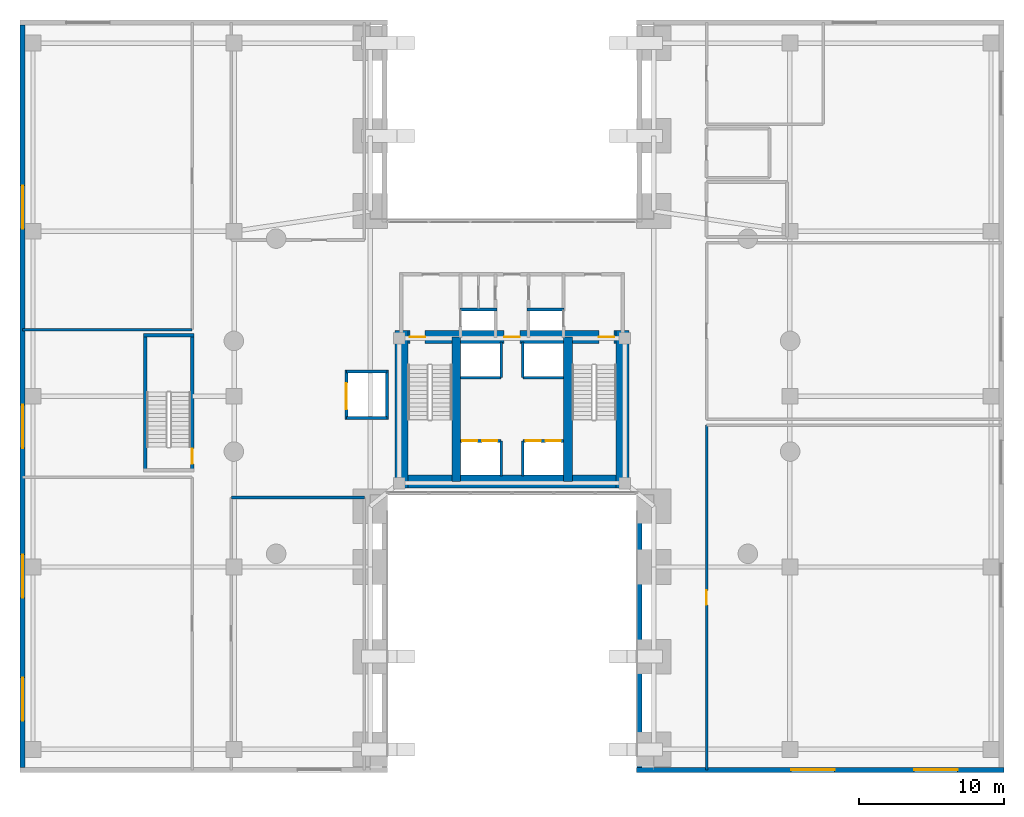
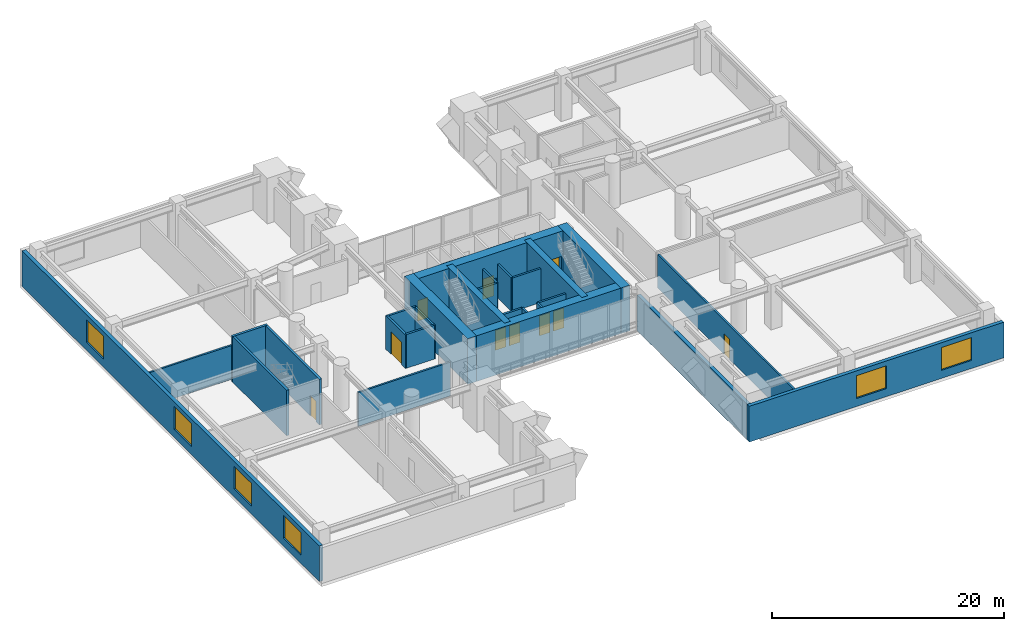
# One storey, part 10 of 14: 29 walls, 10 doors, 6 windows, 16 openings.
"""IFC4 building model written with IfcOpenShell, lengths in metres."""

from ifc_helpers import new_model, si_unit, direction, frame, frame_2d, origin, place, context, subcontext, project, spatial, rectangle, extrude, material, layer, layer_set, type_object, element, fill, save


model = new_model("IFC4")

# Units and contexts
model_context = context("Model", 3, precision=1e-05, world=origin(), true_north=direction((0.0, 1.0)))
body_context = subcontext(model_context, "Body", "Model", "MODEL_VIEW")
ifc_project = project(units=[si_unit("LENGTHUNIT", "METRE"), si_unit("AREAUNIT", "SQUARE_METRE"), si_unit("VOLUMEUNIT", "CUBIC_METRE"), si_unit("PLANEANGLEUNIT", "RADIAN"), si_unit("MASSUNIT", "GRAM", prefix="KILO"), si_unit("THERMODYNAMICTEMPERATUREUNIT", "KELVIN"), si_unit("POWERUNIT", "WATT")], contexts=[model_context])

# Site, building, storey
site_placement = place(None, origin())
site = spatial("IfcSite", under=ifc_project, at=site_placement, CompositionType="ELEMENT")
building_placement = place(site_placement, origin())
building = spatial("IfcBuilding", under=site, at=building_placement, Name="Ocrelia Relay Tower", CompositionType="ELEMENT")
storey_placement = place(building_placement, frame((0.0, 0.0, 5.39990234375)))
storey = spatial("IfcBuildingStorey", under=building, at=storey_placement, Name="L01", CompositionType="ELEMENT", Elevation=5.39990234375)

# Wall
ifc_material_1 = material(Name="Concrete C70/85", Category="concrete")
ifc_layer_1 = layer(ifc_material_1, 0.89990234375, Name="Concrete C70/85")
ifc_layer_set_1 = layer_set([ifc_layer_1], Name="Concrete C70/85")
wall_type_1 = type_object("IfcWallType", Name="CW-CORE-900", PredefinedType="SHEAR", material=ifc_layer_set_1)
wall_1_placement = place(storey_placement, frame((25.922119140625, 20.112060546875, 0.0), z_axis=(0.0, 0.0, 1.0), x_axis=(1.0, 0.0, 0.0)))
element("IfcWall", 1, at=wall_1_placement, inside=storey, type_object=wall_type_1, Name="L01 Core Shear Wall S", PredefinedType="SHEAR", context=body_context, shape_type="SweptSolid", body=[
    extrude(rectangle(XDim=16.165771484375, YDim=0.89990234375, at=frame_2d((8.0830078125, 0.0))), origin(), (0.0, 0.0, 1.0), 4.800048828125),
])

# Wall, openings, doors
wall_2_placement = place(storey_placement, frame((25.922119140625, 30.087890625, 0.0), z_axis=(0.0, 0.0, 1.0), x_axis=(1.0, 0.0, 0.0)))
wall_2 = element("IfcWall", 2, at=wall_2_placement, inside=storey, type_object=wall_type_1, Name="L01 Core Shear Wall N", PredefinedType="SHEAR", context=body_context, shape_type="SweptSolid", body=[
    extrude(rectangle(XDim=16.165771484375, YDim=0.89990234375, at=frame_2d((8.0830078125, 0.0))), origin(), (0.0, 0.0, 1.0), 4.800048828125),
])
opening_1_placement = place(wall_2_placement, frame((1.028076171875, 0.0, 0.0)))
opening_1 = element("IfcOpeningElement", 3, at=opening_1_placement, cuts=wall_2, Name="Opening D-FD90", PredefinedType="OPENING", context=body_context, shape_type="SweptSolid", body=[
    extrude(rectangle(XDim=1.050048828125, YDim=2.14990234375, at=frame_2d((0.52490234375, 1.074951171875))), frame((0.0, 0.4599609375, 0.0), z_axis=(0.0, -1.0, 0.0), x_axis=(1.0, 0.0, 0.0)), (0.0, 0.0, 1.0), 0.919921875),
])
opening_2_placement = place(wall_2_placement, frame((14.077880859375, 0.0, 0.0)))
opening_2 = element("IfcOpeningElement", 4, at=opening_2_placement, cuts=wall_2, Name="Opening D-FD90", PredefinedType="OPENING", context=body_context, shape_type="SweptSolid", body=[
    extrude(rectangle(XDim=1.050048828125, YDim=2.14990234375, at=frame_2d((0.52490234375, 1.074951171875))), frame((0.0, 0.4599609375, 0.0), z_axis=(0.0, -1.0, 0.0), x_axis=(1.0, 0.0, 0.0)), (0.0, 0.0, 1.0), 0.919921875),
])
opening_3_placement = place(wall_2_placement, frame((7.528076171875, 0.0, 0.0)))
opening_3 = element("IfcOpeningElement", 5, at=opening_3_placement, cuts=wall_2, Name="Opening D-FD60", PredefinedType="OPENING", context=body_context, shape_type="SweptSolid", body=[
    extrude(rectangle(XDim=1.10009765625, YDim=2.14990234375, at=frame_2d((0.550048828125, 1.074951171875))), frame((0.0, 0.4599609375, 0.0), z_axis=(0.0, -1.0, 0.0), x_axis=(1.0, 0.0, 0.0)), (0.0, 0.0, 1.0), 0.919921875),
])
ifc_material_2 = material(Name="Timber-core 60-min acoustic fire door", Category="wood")
door_type_1 = type_object("IfcDoorType", Name="DR-LOBBY-FD60-1100", OperationType="NOTDEFINED", PredefinedType="DOOR", material=ifc_material_2)
door_1_placement = place(opening_3_placement, origin())
door_1 = element("IfcDoor", 6, at=door_1_placement, inside=storey, type_object=door_type_1, Name="L01 Core Lift Lobby North Fire Door", OperationType="SINGLE_SWING_LEFT", OverallHeight=2.14990234375, OverallWidth=1.10009765625, PredefinedType="DOOR", context=body_context, shape_type="SweptSolid", body=[
    extrude(rectangle(XDim=1.10009765625, YDim=2.14990234375, at=frame_2d((0.550048828125, 1.074951171875))), frame((0.0, 0.02490234375, 0.0), z_axis=(0.0, -1.0, 0.0), x_axis=(1.0, 0.0, 0.0)), (0.0, 0.0, 1.0), 0.050048828125),
])
fill(opening_3, door_1)
ifc_material_3 = material(Name="Steel S355 90-min fire door", Category="steel")
door_type_2 = type_object("IfcDoorType", Name="DR-STAIR-FD90-1050", OperationType="NOTDEFINED", PredefinedType="DOOR", material=ifc_material_3)
door_2_placement = place(opening_1_placement, origin())
door_2 = element("IfcDoor", 7, at=door_2_placement, inside=storey, type_object=door_type_2, Name="L01 Stair ST1 Fire Door", OperationType="SINGLE_SWING_LEFT", OverallHeight=2.14990234375, OverallWidth=1.050048828125, PredefinedType="DOOR", context=body_context, shape_type="SweptSolid", body=[
    extrude(rectangle(XDim=1.050048828125, YDim=2.14990234375, at=frame_2d((0.52490234375, 1.074951171875))), frame((0.0, 0.02490234375, 0.0), z_axis=(0.0, -1.0, 0.0), x_axis=(1.0, 0.0, 0.0)), (0.0, 0.0, 1.0), 0.050048828125),
])
fill(opening_1, door_2)
door_3_placement = place(opening_2_placement, origin())
door_3 = element("IfcDoor", 8, at=door_3_placement, inside=storey, type_object=door_type_2, Name="L01 Stair ST2 Fire Door", OperationType="SINGLE_SWING_RIGHT", OverallHeight=2.14990234375, OverallWidth=1.050048828125, PredefinedType="DOOR", context=body_context, shape_type="SweptSolid", body=[
    extrude(rectangle(XDim=1.050048828125, YDim=2.14990234375, at=frame_2d((0.52490234375, 1.074951171875))), frame((0.0, 0.02490234375, 0.0), z_axis=(0.0, -1.0, 0.0), x_axis=(1.0, 0.0, 0.0)), (0.0, 0.0, 1.0), 0.050048828125),
])
fill(opening_2, door_3)

# Walls
for number, where, z_axis, x_axis, name in (
    (9, (26.3720703125, 19.662109375, 0.0), (0.0, 0.0, 1.0), (0.0, 1.0, 0.0), "L01 Core Shear Wall W"),
    (10, (41.637939453125, 19.662109375, 0.0), (0.0, 0.0, 1.0), (0.0, 1.0, 0.0), "L01 Core Shear Wall E"),
):
    element("IfcWall", number, at=place(storey_placement, frame(where, z_axis=z_axis, x_axis=x_axis)), inside=storey, type_object=wall_type_1, Name=name, PredefinedType="SHEAR", context=body_context, shape_type="SweptSolid", body=[
        extrude(rectangle(XDim=10.8759765625, YDim=0.89990234375, at=frame_2d((5.43798828125, 0.0))), origin(), (0.0, 0.0, 1.0), 4.800048828125),
    ])
for number, where, z_axis, x_axis, name in (
    (11, (30.137939453125, 20.112060546875, 0.0), (0.0, 0.0, 1.0), (0.0, 1.0, 0.0), "L01 Core Shear Wall SPW"),
    (12, (37.8720703125, 20.112060546875, 0.0), (0.0, 0.0, 1.0), (0.0, 1.0, 0.0), "L01 Core Shear Wall SPE"),
):
    element("IfcWall", number, at=place(storey_placement, frame(where, z_axis=z_axis, x_axis=x_axis)), inside=storey, type_object=wall_type_1, Name=name, PredefinedType="SHEAR", context=body_context, shape_type="SweptSolid", body=[
        extrude(rectangle(XDim=9.975830078125, YDim=0.60009765625, at=frame_2d((4.98779296875, 0.0))), origin(), (0.0, 0.0, 1.0), 4.800048828125),
    ])
ifc_material_4 = material(Name="Concrete C50/60", Category="concrete")
ifc_layer_2 = layer(ifc_material_4, 0.239990234375, Name="Concrete C50/60")
ifc_layer_set_2 = layer_set([ifc_layer_2], Name="Concrete C50/60")
wall_type_2 = type_object("IfcWallType", Name="CW-STAIR-240", PredefinedType="SHEAR", material=ifc_layer_set_2)
wall_3_placement = place(storey_placement, frame((8.531982421875, 30.2080078125, 0.0), z_axis=(0.0, 0.0, 1.0), x_axis=(1.0, 0.0, 0.0)))
element("IfcWall", 13, at=wall_3_placement, inside=storey, type_object=wall_type_2, Name="L01 Stair ST3 Structural Shaft N Wall", PredefinedType="SHEAR", context=body_context, shape_type="SweptSolid", body=[
    extrude(rectangle(XDim=3.49609375, YDim=0.239990234375, at=frame_2d((1.748046875, 0.0))), origin(), (0.0, 0.0, 1.0), 4.800048828125),
])
wall_4_placement = place(storey_placement, frame((8.652099609375, 20.77197265625, 0.0), z_axis=(0.0, 0.0, 1.0), x_axis=(0.0, 1.0, 0.0)))
element("IfcWall", 14, at=wall_4_placement, inside=storey, type_object=wall_type_2, Name="L01 Stair ST3 Structural Shaft W Wall", PredefinedType="SHEAR", context=body_context, shape_type="SweptSolid", body=[
    extrude(rectangle(XDim=9.555908203125, YDim=0.239990234375, at=frame_2d((4.77783203125, 0.0))), origin(), (0.0, 0.0, 1.0), 4.800048828125),
])

# Wall, opening, door
wall_5_placement = place(storey_placement, frame((11.907958984375, 20.77197265625, 0.0), z_axis=(0.0, 0.0, 1.0), x_axis=(0.0, 1.0, 0.0)))
wall_5 = element("IfcWall", 15, at=wall_5_placement, inside=storey, type_object=wall_type_2, Name="L01 Stair ST3 Structural Shaft E Wall", PredefinedType="SHEAR", context=body_context, shape_type="SweptSolid", body=[
    extrude(rectangle(XDim=9.555908203125, YDim=0.239990234375, at=frame_2d((4.77783203125, 0.0))), origin(), (0.0, 0.0, 1.0), 4.800048828125),
])
opening_4_placement = place(wall_5_placement, frame((0.550048828125, 0.0, 0.0)))
opening_4 = element("IfcOpeningElement", 16, at=opening_4_placement, cuts=wall_5, Name="Opening D-FD90", PredefinedType="OPENING", context=body_context, shape_type="SweptSolid", body=[
    extrude(rectangle(XDim=1.050048828125, YDim=2.14990234375, at=frame_2d((0.52490234375, 1.074951171875))), frame((0.0, 0.1298828125, 0.0), z_axis=(0.0, -1.0, 0.0), x_axis=(1.0, 0.0, 0.0)), (0.0, 0.0, 1.0), 0.260009765625),
])
door_4_placement = place(opening_4_placement, origin())
door_4 = element("IfcDoor", 17, at=door_4_placement, inside=storey, type_object=door_type_2, Name="L01 Stair ST3 Fire Door", OperationType="SINGLE_SWING_RIGHT", OverallHeight=2.14990234375, OverallWidth=1.050048828125, PredefinedType="DOOR", context=body_context, shape_type="SweptSolid", body=[
    extrude(rectangle(XDim=1.050048828125, YDim=2.14990234375, at=frame_2d((0.52490234375, 1.074951171875))), frame((0.0, 0.02490234375, 0.0), z_axis=(0.0, -1.0, 0.0), x_axis=(1.0, 0.0, 0.0)), (0.0, 0.0, 1.0), 0.050048828125),
])
fill(opening_4, door_4)

# Walls
ifc_material_5 = material(Name="Gypsum Fireboard Partition EI60", Category="gypsum")
ifc_layer_3 = layer(ifc_material_5, 0.179931640625, Name="Gypsum Fireboard Partition EI60")
ifc_layer_set_3 = layer_set([ifc_layer_3], Name="Gypsum Fireboard Partition EI60")
wall_type_3 = type_object("IfcWallType", Name="W-CORR-EI60-180", PredefinedType="PARTITIONING", material=ifc_layer_set_3)
wall_6_placement = place(storey_placement, frame((0.179931640625, 30.60009765625, 0.0), z_axis=(0.0, 0.0, 1.0), x_axis=(1.0, 0.0, 0.0)))
element("IfcWall", 18, at=wall_6_placement, inside=storey, type_object=wall_type_3, Name="L01 Pre-Function Reception Foyer S Partition", PredefinedType="PARTITIONING", context=body_context, shape_type="SweptSolid", body=[
    extrude(rectangle(XDim=11.719970703125, YDim=0.179931640625, at=frame_2d((5.85986328125, 0.0))), origin(), (0.0, 0.0, 1.0), 3.56005859375),
])
wall_7_placement = place(storey_placement, frame((23.800048828125, 19.0, 0.0), z_axis=(0.0, 0.0, 1.0), x_axis=(-1.0, 0.0, 0.0)))
element("IfcWall", 19, at=wall_7_placement, inside=storey, type_object=wall_type_3, Name="L01 West Optical Exhibition Room N Partition", PredefinedType="PARTITIONING", context=body_context, shape_type="SweptSolid", body=[
    extrude(rectangle(XDim=9.199951171875, YDim=0.179931640625, at=frame_2d((4.60009765625, 0.0))), origin(), (0.0, 0.0, 1.0), 3.56005859375),
])

# Wall, opening, door
wall_8_placement = place(storey_placement, frame((47.449951171875, 24.0, 0.0), z_axis=(0.0, 0.0, 1.0), x_axis=(0.0, -1.0, 0.0)))
wall_8 = element("IfcWall", 20, at=wall_8_placement, inside=storey, type_object=wall_type_3, Name="L01 Network Operations Observation Office W Partition", PredefinedType="PARTITIONING", context=body_context, shape_type="SweptSolid", body=[
    extrude(rectangle(XDim=23.820068359375, YDim=0.179931640625, at=frame_2d((11.91015625, 0.0))), origin(), (0.0, 0.0, 1.0), 3.56005859375),
])
opening_5_placement = place(wall_8_placement, frame((11.409912109375, 0.0, 0.0)))
opening_5 = element("IfcOpeningElement", 21, at=opening_5_placement, cuts=wall_8, Name="Opening D-RM100", PredefinedType="OPENING", context=body_context, shape_type="SweptSolid", body=[
    extrude(rectangle(XDim=1.0, YDim=2.14990234375, at=frame_2d((0.5, 1.074951171875))), frame((0.0, 0.10009765625, 0.0), z_axis=(0.0, -1.0, 0.0), x_axis=(1.0, 0.0, 0.0)), (0.0, 0.0, 1.0), 0.199951171875),
])
ifc_material_6 = material(Name="Acoustic oak veneer fire door", Category="wood")
door_type_3 = type_object("IfcDoorType", Name="DR-ROOM-FD60-1000", OperationType="NOTDEFINED", PredefinedType="DOOR", material=ifc_material_6)
door_5_placement = place(opening_5_placement, origin())
door_5 = element("IfcDoor", 22, at=door_5_placement, inside=storey, type_object=door_type_3, Name="L01 Network Operations Observation Office Door", OperationType="SINGLE_SWING_LEFT", OverallHeight=2.14990234375, OverallWidth=1.0, PredefinedType="DOOR", context=body_context, shape_type="SweptSolid", body=[
    extrude(rectangle(XDim=1.0, YDim=2.14990234375, at=frame_2d((0.5, 1.074951171875))), frame((0.0, 0.02490234375, 0.0), z_axis=(0.0, -1.0, 0.0), x_axis=(1.0, 0.0, 0.0)), (0.0, 0.0, 1.0), 0.050048828125),
])
fill(opening_5, door_5)

# Wall, openings, windows
ifc_material_7 = material(Name="Precast concrete C40/50 with oxide terracotta", Category="masonry")
ifc_layer_4 = layer(ifc_material_7, 0.35009765625, Name="Precast concrete C40/50 with oxide terracotta")
ifc_layer_set_4 = layer_set([ifc_layer_4], Name="Precast concrete C40/50 with oxide terracotta")
wall_type_4 = type_object("IfcWallType", Name="W-EXT-POD-350", PredefinedType="SOLIDWALL", material=ifc_layer_set_4)
wall_9_placement = place(storey_placement, frame((0.179931640625, 0.360107421875, 0.0), z_axis=(0.0, 0.0, 1.0), x_axis=(0.0, 1.0, 0.0)))
wall_9 = element("IfcWall", 23, at=wall_9_placement, inside=storey, type_object=wall_type_4, Name="L01 Oxide Terracotta Podium Wall WW", PredefinedType="SOLIDWALL", context=body_context, shape_type="SweptSolid", body=[
    extrude(rectangle(XDim=51.27978515625, YDim=0.35009765625, at=frame_2d((25.639892578125, 0.0))), origin(), (0.0, 0.0, 1.0), 3.760009765625),
])
opening_6_placement = place(wall_9_placement, frame((3.199951171875, 0.0, 0.85009765625)))
opening_6 = element("IfcOpeningElement", 24, at=opening_6_placement, cuts=wall_9, Name="Opening W-05", PredefinedType="OPENING", context=body_context, shape_type="SweptSolid", body=[
    extrude(rectangle(XDim=3.0, YDim=2.39990234375, at=frame_2d((1.5, 1.199951171875))), frame((0.0, 0.18505859375, 0.0), z_axis=(0.0, -1.0, 0.0), x_axis=(1.0, 0.0, 0.0)), (0.0, 0.0, 1.0), 0.3701171875),
])
opening_7_placement = place(wall_9_placement, frame((11.699951171875, 0.0, 0.85009765625)))
opening_7 = element("IfcOpeningElement", 25, at=opening_7_placement, cuts=wall_9, Name="Opening W-05", PredefinedType="OPENING", context=body_context, shape_type="SweptSolid", body=[
    extrude(rectangle(XDim=3.0, YDim=2.39990234375, at=frame_2d((1.5, 1.199951171875))), frame((0.0, 0.18505859375, 0.0), z_axis=(0.0, -1.0, 0.0), x_axis=(1.0, 0.0, 0.0)), (0.0, 0.0, 1.0), 0.3701171875),
])
opening_8_placement = place(wall_9_placement, frame((22.050048828125, 0.0, 0.85009765625)))
opening_8 = element("IfcOpeningElement", 26, at=opening_8_placement, cuts=wall_9, Name="Opening W-05", PredefinedType="OPENING", context=body_context, shape_type="SweptSolid", body=[
    extrude(rectangle(XDim=3.0, YDim=2.39990234375, at=frame_2d((1.5, 1.199951171875))), frame((0.0, 0.18505859375, 0.0), z_axis=(0.0, -1.0, 0.0), x_axis=(1.0, 0.0, 0.0)), (0.0, 0.0, 1.0), 0.3701171875),
])
opening_9_placement = place(wall_9_placement, frame((37.199951171875, 0.0, 0.85009765625)))
opening_9 = element("IfcOpeningElement", 27, at=opening_9_placement, cuts=wall_9, Name="Opening W-05", PredefinedType="OPENING", context=body_context, shape_type="SweptSolid", body=[
    extrude(rectangle(XDim=3.0, YDim=2.39990234375, at=frame_2d((1.5, 1.199951171875))), frame((0.0, 0.18505859375, 0.0), z_axis=(0.0, -1.0, 0.0), x_axis=(1.0, 0.0, 0.0)), (0.0, 0.0, 1.0), 0.3701171875),
])
ifc_material_8 = material(Name="Clear double-glazed low-E glass", Category="glass")
window_type = type_object("IfcWindowType", Name="WIN-POD-3000x2600", PartitioningType="DOUBLE_PANEL_VERTICAL", PredefinedType="WINDOW", material=ifc_material_8)
window_1_placement = place(opening_6_placement, origin())
window_1 = element("IfcWindow", 28, at=window_1_placement, inside=storey, type_object=window_type, Name="L01 Podium Punched Window WW-1", OverallHeight=2.39990234375, OverallWidth=3.0, PartitioningType="SINGLE_PANEL", PredefinedType="WINDOW", context=body_context, shape_type="SweptSolid", body=[
    extrude(rectangle(XDim=3.0, YDim=2.39990234375, at=frame_2d((1.5, 1.199951171875))), frame((0.0, 0.030029296875, 0.0), z_axis=(0.0, -1.0, 0.0), x_axis=(1.0, 0.0, 0.0)), (0.0, 0.0, 1.0), 0.06005859375),
])
fill(opening_6, window_1)
window_2_placement = place(opening_7_placement, origin())
window_2 = element("IfcWindow", 29, at=window_2_placement, inside=storey, type_object=window_type, Name="L01 Podium Punched Window WW-2", OverallHeight=2.39990234375, OverallWidth=3.0, PartitioningType="SINGLE_PANEL", PredefinedType="WINDOW", context=body_context, shape_type="SweptSolid", body=[
    extrude(rectangle(XDim=3.0, YDim=2.39990234375, at=frame_2d((1.5, 1.199951171875))), frame((0.0, 0.030029296875, 0.0), z_axis=(0.0, -1.0, 0.0), x_axis=(1.0, 0.0, 0.0)), (0.0, 0.0, 1.0), 0.06005859375),
])
fill(opening_7, window_2)
window_3_placement = place(opening_8_placement, origin())
window_3 = element("IfcWindow", 30, at=window_3_placement, inside=storey, type_object=window_type, Name="L01 Podium Punched Window WW-3", OverallHeight=2.39990234375, OverallWidth=3.0, PartitioningType="SINGLE_PANEL", PredefinedType="WINDOW", context=body_context, shape_type="SweptSolid", body=[
    extrude(rectangle(XDim=3.0, YDim=2.39990234375, at=frame_2d((1.5, 1.199951171875))), frame((0.0, 0.030029296875, 0.0), z_axis=(0.0, -1.0, 0.0), x_axis=(1.0, 0.0, 0.0)), (0.0, 0.0, 1.0), 0.06005859375),
])
fill(opening_8, window_3)
window_4_placement = place(opening_9_placement, origin())
window_4 = element("IfcWindow", 31, at=window_4_placement, inside=storey, type_object=window_type, Name="L01 Podium Punched Window WW-5", OverallHeight=2.39990234375, OverallWidth=3.0, PartitioningType="SINGLE_PANEL", PredefinedType="WINDOW", context=body_context, shape_type="SweptSolid", body=[
    extrude(rectangle(XDim=3.0, YDim=2.39990234375, at=frame_2d((1.5, 1.199951171875))), frame((0.0, 0.030029296875, 0.0), z_axis=(0.0, -1.0, 0.0), x_axis=(1.0, 0.0, 0.0)), (0.0, 0.0, 1.0), 0.06005859375),
])
fill(opening_9, window_4)

wall_10_placement = place(storey_placement, frame((67.989990234375, 0.179931640625, 0.0), z_axis=(0.0, 0.0, 1.0), x_axis=(-1.0, 0.0, 0.0)))
wall_10 = element("IfcWall", 32, at=wall_10_placement, inside=storey, type_object=wall_type_4, Name="L01 Oxide Terracotta Podium Wall ES", PredefinedType="SOLIDWALL", context=body_context, shape_type="SweptSolid", body=[
    extrude(rectangle(XDim=25.369873046875, YDim=0.35009765625, at=frame_2d((12.68505859375, 0.0))), origin(), (0.0, 0.0, 1.0), 3.760009765625),
])
opening_10_placement = place(wall_10_placement, frame((3.199951171875, 0.0, 0.85009765625)))
opening_10 = element("IfcOpeningElement", 33, at=opening_10_placement, cuts=wall_10, Name="Opening W-05", PredefinedType="OPENING", context=body_context, shape_type="SweptSolid", body=[
    extrude(rectangle(XDim=3.0, YDim=2.39990234375, at=frame_2d((1.5, 1.199951171875))), frame((0.0, 0.18505859375, 0.0), z_axis=(0.0, -1.0, 0.0), x_axis=(1.0, 0.0, 0.0)), (0.0, 0.0, 1.0), 0.3701171875),
])
opening_11_placement = place(wall_10_placement, frame((11.699951171875, 0.0, 0.85009765625)))
opening_11 = element("IfcOpeningElement", 34, at=opening_11_placement, cuts=wall_10, Name="Opening W-05", PredefinedType="OPENING", context=body_context, shape_type="SweptSolid", body=[
    extrude(rectangle(XDim=3.0, YDim=2.39990234375, at=frame_2d((1.5, 1.199951171875))), frame((0.0, 0.18505859375, 0.0), z_axis=(0.0, -1.0, 0.0), x_axis=(1.0, 0.0, 0.0)), (0.0, 0.0, 1.0), 0.3701171875),
])
window_5_placement = place(opening_10_placement, origin())
window_5 = element("IfcWindow", 35, at=window_5_placement, inside=storey, type_object=window_type, Name="L01 Podium Punched Window ES-1", OverallHeight=2.39990234375, OverallWidth=3.0, PartitioningType="SINGLE_PANEL", PredefinedType="WINDOW", context=body_context, shape_type="SweptSolid", body=[
    extrude(rectangle(XDim=3.0, YDim=2.39990234375, at=frame_2d((1.5, 1.199951171875))), frame((0.0, 0.030029296875, 0.0), z_axis=(0.0, -1.0, 0.0), x_axis=(1.0, 0.0, 0.0)), (0.0, 0.0, 1.0), 0.06005859375),
])
fill(opening_10, window_5)
window_6_placement = place(opening_11_placement, origin())
window_6 = element("IfcWindow", 36, at=window_6_placement, inside=storey, type_object=window_type, Name="L01 Podium Punched Window ES-2", OverallHeight=2.39990234375, OverallWidth=3.0, PartitioningType="SINGLE_PANEL", PredefinedType="WINDOW", context=body_context, shape_type="SweptSolid", body=[
    extrude(rectangle(XDim=3.0, YDim=2.39990234375, at=frame_2d((1.5, 1.199951171875))), frame((0.0, 0.030029296875, 0.0), z_axis=(0.0, -1.0, 0.0), x_axis=(1.0, 0.0, 0.0)), (0.0, 0.0, 1.0), 0.06005859375),
])
fill(opening_11, window_6)

# Walls
wall_11_placement = place(storey_placement, frame((42.800048828125, 0.360107421875, 0.0), z_axis=(0.0, 0.0, 1.0), x_axis=(0.0, 1.0, 0.0)))
element("IfcWall", 37, at=wall_11_placement, inside=storey, type_object=wall_type_4, Name="L01 Oxide Terracotta Podium Wall AES", PredefinedType="SOLIDWALL", context=body_context, shape_type="SweptSolid", body=[
    extrude(rectangle(XDim=18.989990234375, YDim=0.35009765625, at=frame_2d((9.4951171875, 0.0))), origin(), (0.0, 0.0, 1.0), 3.760009765625),
])
ifc_layer_5 = layer(ifc_material_4, 0.199951171875, Name="Concrete C50/60")
ifc_layer_set_5 = layer_set([ifc_layer_5], Name="Concrete C50/60")
wall_type_5 = type_object("IfcWallType", Name="W-SHAFT-EI120-200", PredefinedType="SOLIDWALL", material=ifc_layer_set_5)
for number, where, z_axis, x_axis, name in (
    (38, (30.39990234375, 32.0, 0.0), (0.0, 0.0, 1.0), (1.0, 0.0, 0.0), "L01 FFL1 Hoistway North Wall"),
    (39, (35.050048828125, 32.0, 0.0), (0.0, 0.0, 1.0), (1.0, 0.0, 0.0), "L01 FFL2 Hoistway North Wall"),
):
    element("IfcWall", number, at=place(storey_placement, frame(where, z_axis=z_axis, x_axis=x_axis)), inside=storey, type_object=wall_type_5, Name=name, PredefinedType="SOLIDWALL", context=body_context, shape_type="SweptSolid", body=[
        extrude(rectangle(XDim=2.550048828125, YDim=0.199951171875, at=frame_2d((1.27490234375, 0.0))), origin(), (0.0, 0.0, 1.0), 3.56005859375),
    ])

# Wall, openings, doors
wall_12_placement = place(storey_placement, frame((30.43994140625, 22.919921875, 0.0), z_axis=(0.0, 0.0, 1.0), x_axis=(1.0, 0.0, 0.0)))
wall_12 = element("IfcWall", 40, at=wall_12_placement, inside=storey, type_object=wall_type_5, Name="L01 Low-Rise Lift Hoistway Wall W", PredefinedType="SOLIDWALL", context=body_context, shape_type="SweptSolid", body=[
    extrude(rectangle(XDim=2.81005859375, YDim=0.199951171875, at=frame_2d((1.405029296875, 0.0))), origin(), (0.0, 0.0, 1.0), 3.56005859375),
])
opening_12_placement = place(wall_12_placement, frame((0.1201171875, 0.0, 0.0)))
opening_12 = element("IfcOpeningElement", 41, at=opening_12_placement, cuts=wall_12, Name="Opening LD-PL1", PredefinedType="OPENING", context=body_context, shape_type="SweptSolid", body=[
    extrude(rectangle(XDim=1.050048828125, YDim=2.10009765625, at=frame_2d((0.52490234375, 1.050048828125))), frame((0.0, 0.10986328125, 0.0), z_axis=(0.0, -1.0, 0.0), x_axis=(1.0, 0.0, 0.0)), (0.0, 0.0, 1.0), 0.219970703125),
])
opening_13_placement = place(wall_12_placement, frame((1.5, 0.0, 0.0)))
opening_13 = element("IfcOpeningElement", 42, at=opening_13_placement, cuts=wall_12, Name="Opening LD-PL2", PredefinedType="OPENING", context=body_context, shape_type="SweptSolid", body=[
    extrude(rectangle(XDim=1.050048828125, YDim=2.10009765625, at=frame_2d((0.52490234375, 1.050048828125))), frame((0.0, 0.10986328125, 0.0), z_axis=(0.0, -1.0, 0.0), x_axis=(1.0, 0.0, 0.0)), (0.0, 0.0, 1.0), 0.219970703125),
])
ifc_material_9 = material(Name="Brushed stainless steel S355 lift landing door", Category="steel")
door_type_4 = type_object("IfcDoorType", Name="DR-LIFT-LAND-1050", OperationType="DOUBLE_DOOR_SLIDING", PredefinedType="USERDEFINED", material=ifc_material_9)
door_6_placement = place(opening_12_placement, origin())
door_6 = element("IfcDoor", 43, at=door_6_placement, inside=storey, type_object=door_type_4, Name="L01 Passenger Lift PL1 Sliding Landing Door", ObjectType="LANDING DOOR", OperationType="DOUBLE_DOOR_SLIDING", OverallHeight=2.10009765625, OverallWidth=1.050048828125, PredefinedType="USERDEFINED", context=body_context, shape_type="SweptSolid", body=[
    extrude(rectangle(XDim=1.050048828125, YDim=2.10009765625, at=frame_2d((0.52490234375, 1.050048828125))), frame((0.0, 0.02490234375, 0.0), z_axis=(0.0, -1.0, 0.0), x_axis=(1.0, 0.0, 0.0)), (0.0, 0.0, 1.0), 0.050048828125),
])
fill(opening_12, door_6)
door_7_placement = place(opening_13_placement, origin())
door_7 = element("IfcDoor", 44, at=door_7_placement, inside=storey, type_object=door_type_4, Name="L01 Passenger Lift PL2 Sliding Landing Door", ObjectType="LANDING DOOR", OperationType="DOUBLE_DOOR_SLIDING", OverallHeight=2.10009765625, OverallWidth=1.050048828125, PredefinedType="USERDEFINED", context=body_context, shape_type="SweptSolid", body=[
    extrude(rectangle(XDim=1.050048828125, YDim=2.10009765625, at=frame_2d((0.52490234375, 1.050048828125))), frame((0.0, 0.02490234375, 0.0), z_axis=(0.0, -1.0, 0.0), x_axis=(1.0, 0.0, 0.0)), (0.0, 0.0, 1.0), 0.050048828125),
])
fill(opening_13, door_7)

# Wall
wall_13_placement = place(storey_placement, frame((33.25, 20.5, 0.0), z_axis=(0.0, 0.0, 1.0), x_axis=(0.0, 1.0, 0.0)))
element("IfcWall", 45, at=wall_13_placement, inside=storey, type_object=wall_type_5, Name="L01 Low-Rise Lift Throat Wall W", PredefinedType="SOLIDWALL", context=body_context, shape_type="SweptSolid", body=[
    extrude(rectangle(XDim=2.419921875, YDim=0.179931640625, at=frame_2d((1.2099609375, 0.0))), origin(), (0.0, 0.0, 1.0), 3.56005859375),
])

# Wall, openings, doors
wall_14_placement = place(storey_placement, frame((34.75, 22.919921875, 0.0), z_axis=(0.0, 0.0, 1.0), x_axis=(1.0, 0.0, 0.0)))
wall_14 = element("IfcWall", 46, at=wall_14_placement, inside=storey, type_object=wall_type_5, Name="L01 Low-Rise Lift Hoistway Wall E", PredefinedType="SOLIDWALL", context=body_context, shape_type="SweptSolid", body=[
    extrude(rectangle(XDim=2.81005859375, YDim=0.199951171875, at=frame_2d((1.405029296875, 0.0))), origin(), (0.0, 0.0, 1.0), 3.56005859375),
])
opening_14_placement = place(wall_14_placement, frame((0.18994140625, 0.0, 0.0)))
opening_14 = element("IfcOpeningElement", 47, at=opening_14_placement, cuts=wall_14, Name="Opening LD-PL3", PredefinedType="OPENING", context=body_context, shape_type="SweptSolid", body=[
    extrude(rectangle(XDim=1.050048828125, YDim=2.10009765625, at=frame_2d((0.52490234375, 1.050048828125))), frame((0.0, 0.10986328125, 0.0), z_axis=(0.0, -1.0, 0.0), x_axis=(1.0, 0.0, 0.0)), (0.0, 0.0, 1.0), 0.219970703125),
])
opening_15_placement = place(wall_14_placement, frame((1.570068359375, 0.0, 0.0)))
opening_15 = element("IfcOpeningElement", 48, at=opening_15_placement, cuts=wall_14, Name="Opening LD-PL4", PredefinedType="OPENING", context=body_context, shape_type="SweptSolid", body=[
    extrude(rectangle(XDim=1.050048828125, YDim=2.10009765625, at=frame_2d((0.52490234375, 1.050048828125))), frame((0.0, 0.10986328125, 0.0), z_axis=(0.0, -1.0, 0.0), x_axis=(1.0, 0.0, 0.0)), (0.0, 0.0, 1.0), 0.219970703125),
])
door_8_placement = place(opening_14_placement, origin())
door_8 = element("IfcDoor", 49, at=door_8_placement, inside=storey, type_object=door_type_4, Name="L01 Passenger Lift PL3 Sliding Landing Door", ObjectType="LANDING DOOR", OperationType="DOUBLE_DOOR_SLIDING", OverallHeight=2.10009765625, OverallWidth=1.050048828125, PredefinedType="USERDEFINED", context=body_context, shape_type="SweptSolid", body=[
    extrude(rectangle(XDim=1.050048828125, YDim=2.10009765625, at=frame_2d((0.52490234375, 1.050048828125))), frame((0.0, 0.02490234375, 0.0), z_axis=(0.0, -1.0, 0.0), x_axis=(1.0, 0.0, 0.0)), (0.0, 0.0, 1.0), 0.050048828125),
])
fill(opening_14, door_8)
door_9_placement = place(opening_15_placement, origin())
door_9 = element("IfcDoor", 50, at=door_9_placement, inside=storey, type_object=door_type_4, Name="L01 Passenger Lift PL4 Sliding Landing Door", ObjectType="LANDING DOOR", OperationType="DOUBLE_DOOR_SLIDING", OverallHeight=2.10009765625, OverallWidth=1.050048828125, PredefinedType="USERDEFINED", context=body_context, shape_type="SweptSolid", body=[
    extrude(rectangle(XDim=1.050048828125, YDim=2.10009765625, at=frame_2d((0.52490234375, 1.050048828125))), frame((0.0, 0.02490234375, 0.0), z_axis=(0.0, -1.0, 0.0), x_axis=(1.0, 0.0, 0.0)), (0.0, 0.0, 1.0), 0.050048828125),
])
fill(opening_15, door_9)

# Walls
wall_15_placement = place(storey_placement, frame((34.75, 20.5, 0.0), z_axis=(0.0, 0.0, 1.0), x_axis=(0.0, 1.0, 0.0)))
element("IfcWall", 51, at=wall_15_placement, inside=storey, type_object=wall_type_5, Name="L01 Low-Rise Lift Throat Wall E", PredefinedType="SOLIDWALL", context=body_context, shape_type="SweptSolid", body=[
    extrude(rectangle(XDim=2.419921875, YDim=0.179931640625, at=frame_2d((1.2099609375, 0.0))), origin(), (0.0, 0.0, 1.0), 3.56005859375),
])
wall_16_placement = place(storey_placement, frame((30.43994140625, 27.280029296875, 0.0), z_axis=(0.0, 0.0, 1.0), x_axis=(1.0, 0.0, 0.0)))
element("IfcWall", 52, at=wall_16_placement, inside=storey, type_object=wall_type_5, Name="L01 High-Rise Lift Hoistway Wall W", PredefinedType="SOLIDWALL", context=body_context, shape_type="SweptSolid", body=[
    extrude(rectangle(XDim=2.81005859375, YDim=0.199951171875, at=frame_2d((1.405029296875, 0.0))), origin(), (0.0, 0.0, 1.0), 3.56005859375),
])
wall_17_placement = place(storey_placement, frame((33.25, 27.280029296875, 0.0), z_axis=(0.0, 0.0, 1.0), x_axis=(0.0, 1.0, 0.0)))
element("IfcWall", 53, at=wall_17_placement, inside=storey, type_object=wall_type_5, Name="L01 High-Rise Lift Throat Wall W", PredefinedType="SOLIDWALL", context=body_context, shape_type="SweptSolid", body=[
    extrude(rectangle(XDim=2.469970703125, YDim=0.179931640625, at=frame_2d((1.23486328125, 0.0))), origin(), (0.0, 0.0, 1.0), 3.56005859375),
])
wall_18_placement = place(storey_placement, frame((34.75, 27.280029296875, 0.0), z_axis=(0.0, 0.0, 1.0), x_axis=(1.0, 0.0, 0.0)))
element("IfcWall", 54, at=wall_18_placement, inside=storey, type_object=wall_type_5, Name="L01 High-Rise Lift Hoistway Wall E", PredefinedType="SOLIDWALL", context=body_context, shape_type="SweptSolid", body=[
    extrude(rectangle(XDim=2.81005859375, YDim=0.199951171875, at=frame_2d((1.405029296875, 0.0))), origin(), (0.0, 0.0, 1.0), 3.56005859375),
])
wall_19_placement = place(storey_placement, frame((34.75, 27.280029296875, 0.0), z_axis=(0.0, 0.0, 1.0), x_axis=(0.0, 1.0, 0.0)))
element("IfcWall", 55, at=wall_19_placement, inside=storey, type_object=wall_type_5, Name="L01 High-Rise Lift Throat Wall E", PredefinedType="SOLIDWALL", context=body_context, shape_type="SweptSolid", body=[
    extrude(rectangle(XDim=2.469970703125, YDim=0.179931640625, at=frame_2d((1.23486328125, 0.0))), origin(), (0.0, 0.0, 1.0), 3.56005859375),
])

# Wall, opening, door
wall_20_placement = place(storey_placement, frame((22.550048828125, 24.39990234375, 0.0), z_axis=(0.0, 0.0, 1.0), x_axis=(0.0, 1.0, 0.0)))
wall_20 = element("IfcWall", 56, at=wall_20_placement, inside=storey, type_object=wall_type_5, Name="L01 Goods Lift Shaft West Wall", PredefinedType="SOLIDWALL", context=body_context, shape_type="SweptSolid", body=[
    extrude(rectangle(XDim=3.400146484375, YDim=0.199951171875, at=frame_2d((1.7001953125, 0.0))), origin(), (0.0, 0.0, 1.0), 3.56005859375),
])
opening_16_placement = place(wall_20_placement, frame((0.699951171875, 0.0, 0.0)))
opening_16 = element("IfcOpeningElement", 57, at=opening_16_placement, cuts=wall_20, Name="Opening LD-GL1", PredefinedType="OPENING", context=body_context, shape_type="SweptSolid", body=[
    extrude(rectangle(XDim=1.800048828125, YDim=2.39990234375, at=frame_2d((0.89990234375, 1.199951171875))), frame((0.0, 0.10986328125, 0.0), z_axis=(0.0, -1.0, 0.0), x_axis=(1.0, 0.0, 0.0)), (0.0, 0.0, 1.0), 0.219970703125),
])
ifc_material_10 = material(Name="Heavy-duty stainless steel S355 goods landing door", Category="steel")
door_type_5 = type_object("IfcDoorType", Name="DR-GOODS-LAND-1800", OperationType="DOUBLE_DOOR_SLIDING", PredefinedType="USERDEFINED", material=ifc_material_10)
door_10_placement = place(opening_16_placement, origin())
door_10 = element("IfcDoor", 58, at=door_10_placement, inside=storey, type_object=door_type_5, Name="L01 Goods Lift GL1 Sliding Landing Door", ObjectType="LANDING DOOR", OperationType="DOUBLE_DOOR_SLIDING", OverallHeight=2.39990234375, OverallWidth=1.800048828125, PredefinedType="USERDEFINED", context=body_context, shape_type="SweptSolid", body=[
    extrude(rectangle(XDim=1.800048828125, YDim=2.39990234375, at=frame_2d((0.89990234375, 1.199951171875))), frame((0.0, 0.02490234375, 0.0), z_axis=(0.0, -1.0, 0.0), x_axis=(1.0, 0.0, 0.0)), (0.0, 0.0, 1.0), 0.050048828125),
])
fill(opening_16, door_10)

# Walls
wall_21_placement = place(storey_placement, frame((25.35009765625, 24.39990234375, 0.0), z_axis=(0.0, 0.0, 1.0), x_axis=(0.0, 1.0, 0.0)))
element("IfcWall", 59, at=wall_21_placement, inside=storey, type_object=wall_type_5, Name="L01 Goods Lift Shaft E Wall", PredefinedType="SOLIDWALL", context=body_context, shape_type="SweptSolid", body=[
    extrude(rectangle(XDim=3.400146484375, YDim=0.199951171875, at=frame_2d((1.7001953125, 0.0))), origin(), (0.0, 0.0, 1.0), 3.56005859375),
])
for number, where, z_axis, x_axis, name in (
    (60, (22.550048828125, 24.5, 0.0), (0.0, 0.0, 1.0), (1.0, 0.0, 0.0), "L01 Goods Lift Shaft S Wall"),
    (61, (22.550048828125, 27.699951171875, 0.0), (0.0, 0.0, 1.0), (1.0, 0.0, 0.0), "L01 Goods Lift Shaft N Wall"),
):
    element("IfcWall", number, at=place(storey_placement, frame(where, z_axis=z_axis, x_axis=x_axis)), inside=storey, type_object=wall_type_5, Name=name, PredefinedType="SOLIDWALL", context=body_context, shape_type="SweptSolid", body=[
        extrude(rectangle(XDim=2.800048828125, YDim=0.199951171875, at=frame_2d((1.39990234375, 0.0))), origin(), (0.0, 0.0, 1.0), 3.56005859375),
    ])

save(model, "model.ifc")
